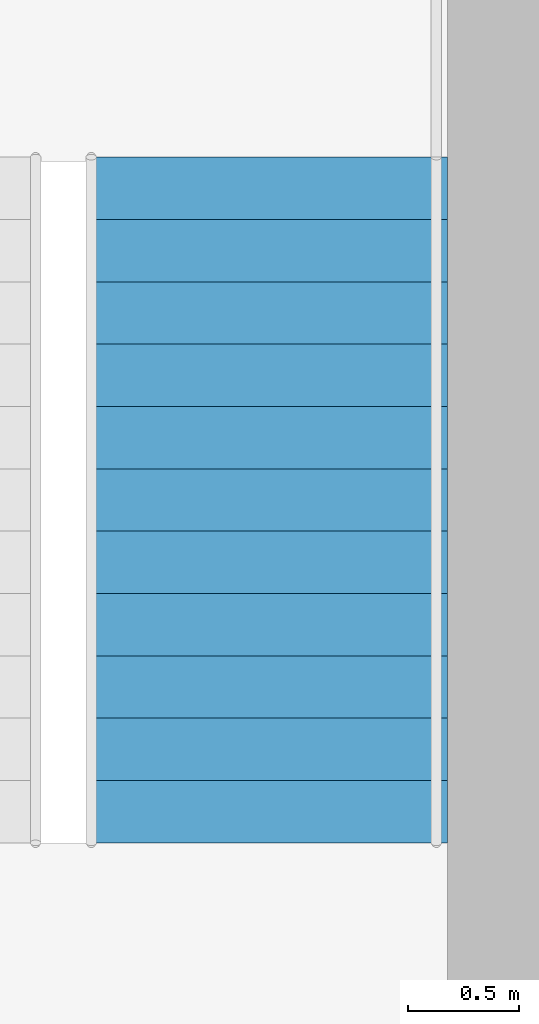
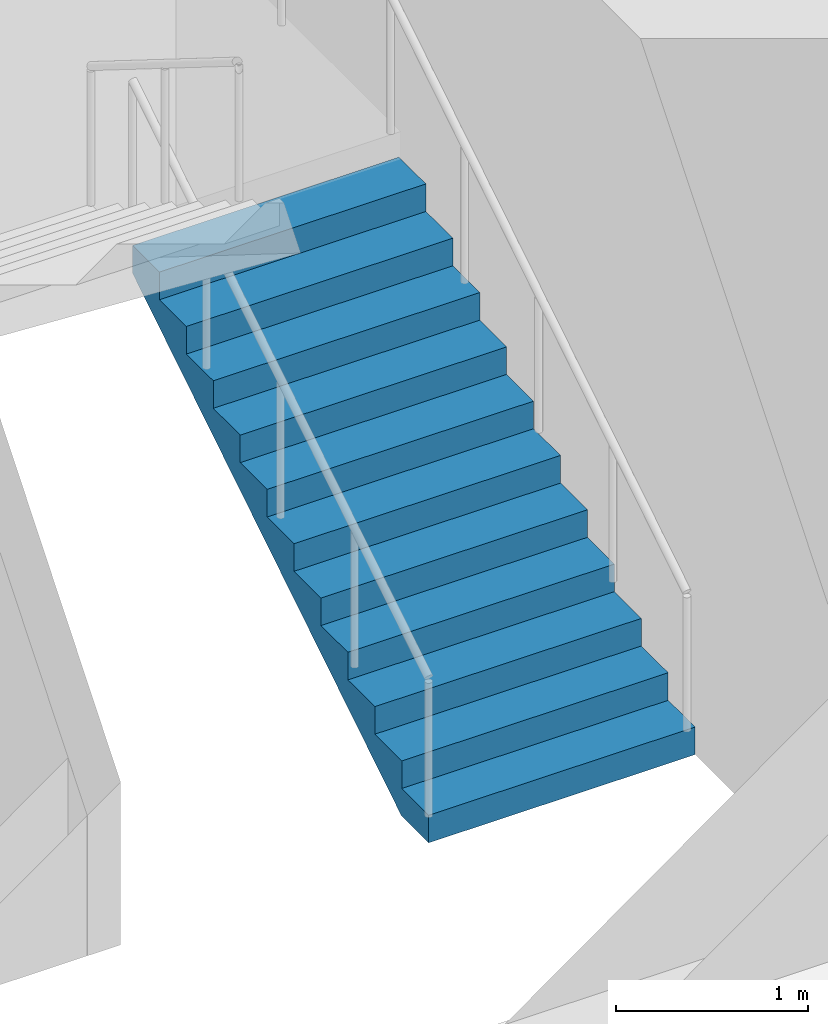
# One storey, part 11 of 12: 1 stair flight, 1 element without a shape of its own.
"""IFC4 building model written with IfcOpenShell, lengths in metres."""

from ifc_helpers import new_model, si_unit, direction, frame, origin, place, context, subcontext, project, spatial, polyline, outline, extrude, material, type_object, element, aggregate, save


model = new_model("IFC4")

# Units and contexts
model_context = context("Model", 3, precision=1e-05, world=origin(), true_north=direction((0.0, 1.0)))
body_context = subcontext(model_context, "Body", "Model", "MODEL_VIEW")
ifc_project = project(units=[si_unit("LENGTHUNIT", "METRE"), si_unit("AREAUNIT", "SQUARE_METRE"), si_unit("VOLUMEUNIT", "CUBIC_METRE"), si_unit("PLANEANGLEUNIT", "RADIAN"), si_unit("MASSUNIT", "GRAM", prefix="KILO")], contexts=[model_context])

# Site, building, storey
site_placement = place(None, origin())
site = spatial("IfcSite", under=ifc_project, at=site_placement, CompositionType="ELEMENT")
building_placement = place(site_placement, origin())
building = spatial("IfcBuilding", under=site, at=building_placement, Name="Ghaith Harvest Tower", CompositionType="ELEMENT")
storey_placement = place(building_placement, frame((0.0, 0.0, 228.39990234375)))
storey = spatial("IfcBuildingStorey", under=building, at=storey_placement, Name="L50", CompositionType="ELEMENT", Elevation=228.39990234375)

# Stair, stair flight
ifc_material_1 = material(Name="Concrete C40/50, precast", Category="concrete")
stair_type = type_object("IfcStairType", Name="CORE STAIR 24R", PredefinedType="HALF_TURN_STAIR", material=ifc_material_1)
stair_placement = place(storey_placement, origin())
stair = element("IfcStair", 1, at=stair_placement, inside=storey, type_object=stair_type, Name="Stair ST2 L50", PredefinedType="HALF_TURN_STAIR")
ifc_material_2 = material(Name="Concrete C40/50, precast", Category="concrete")
stair_flight_type = type_object("IfcStairFlightType", Name="CORE FLIGHT 12R 1600", PredefinedType="STRAIGHT", material=ifc_material_2)
stair_flight_placement = place(storey_placement, frame((12.0, 3.39990234375, 0.0), z_axis=(0.0, 0.0, 1.0), x_axis=(0.0, 1.0, 0.0)))
stair_flight = element("IfcStairFlight", 2, at=stair_flight_placement, type_object=stair_flight_type, Name="ST2 flight 1", NumberOfRisers=12, NumberOfTreads=11, PredefinedType="STRAIGHT", RiserHeight=0.175, TreadLength=0.28, context=body_context, shape_type="SweptSolid", body=[
    extrude(outline(polyline([(0.0, 0.0), (0.0, 0.175048828125), (0.280029296875, 0.175048828125), (0.280029296875, 0.35009765625), (0.56005859375, 0.35009765625), (0.56005859375, 0.52490234375), (0.840087890625, 0.52490234375), (0.840087890625, 0.699951171875), (1.1201171875, 0.699951171875), (1.1201171875, 0.875), (1.39990234375, 0.875), (1.39990234375, 1.050048828125), (1.679931640625, 1.050048828125), (1.679931640625, 1.22509765625), (1.9599609375, 1.22509765625), (1.9599609375, 1.39990234375), (2.239990234375, 1.39990234375), (2.239990234375, 1.574951171875), (2.52001953125, 1.574951171875), (2.52001953125, 1.75), (2.800048828125, 1.75), (2.800048828125, 1.925048828125), (3.080078125, 1.925048828125), (3.080078125, 2.10009765625), (3.080078125, 1.748291015625), (0.28271484375, 0.0), (0.0, 0.0)])), frame((0.0, 0.800048828125, 0.0), z_axis=(0.0, -1.0, 0.0), x_axis=(1.0, 0.0, 0.0)), (0.0, 0.0, 1.0), 1.60009765625),
])
aggregate(stair, [stair_flight])

save(model, "model.ifc")
